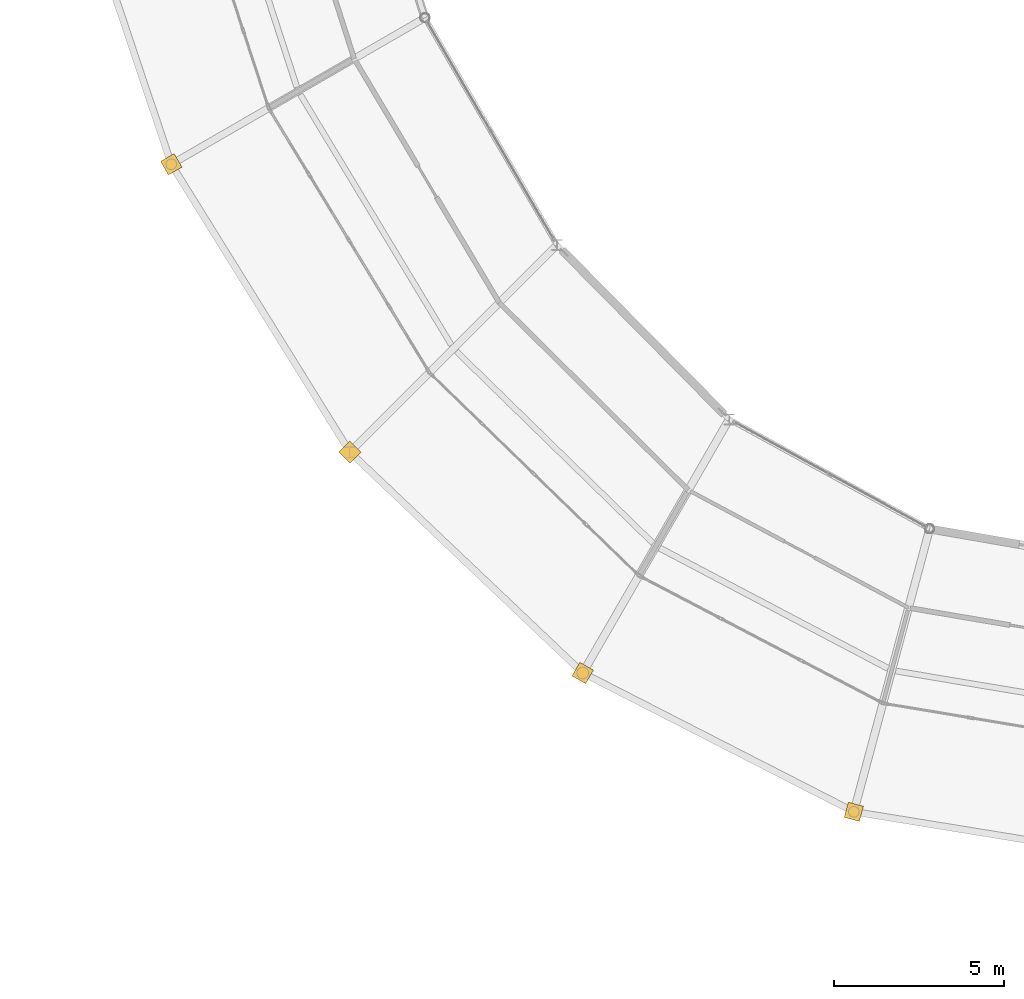
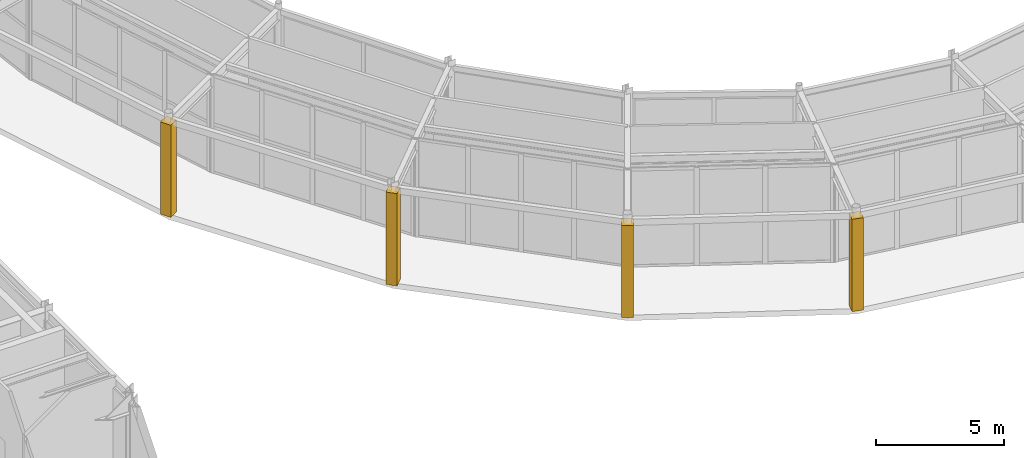
# One storey, part 134 of 144: 4 coverings.
"""IFC4 building model written with IfcOpenShell, lengths in metres."""

import ifcopenshell
import ifcopenshell.guid

model = None  # the IFC model being written
_history = None  # IfcOwnerHistory: only IFC2X3 demands one
_inside = {}  # id of a spatial element -> (the spatial element, [elements in it])
_under = {}  # id of a project, library or spatial element -> (it, [spatial elements below it])
_declared = {}  # id of a project -> (the project, [libraries it declares])
_typed = {}  # id of a type object -> (the type object, [elements of that type])
_made_of = {}  # id of a material, layer set ... -> (it, [elements and type objects made of it])


def new_model(schema):
    """Start an empty IFC model of exactly this schema.

    Asked for "IFC4X3", IfcOpenShell would pick the latest addendum, in which some entities
    have other attributes; the version numbers below select the first issue.
    IFC2X3 requires an IfcOwnerHistory on every rooted entity: one is made here for all.
    """
    global model, _history
    if schema == "IFC4X3":
        model = ifcopenshell.file(schema_version=(4, 3, 0, 0))
    else:
        model = ifcopenshell.file(schema=schema)
    _inside.clear()
    _under.clear()
    _declared.clear()
    _typed.clear()
    _made_of.clear()
    _history = None
    if model.schema == "IFC2X3":
        org = make("IfcOrganization", Name="unknown")
        user = make(
            "IfcPersonAndOrganization",
            ThePerson=make("IfcPerson", FamilyName="unknown"),
            TheOrganization=org,
        )
        app = make(
            "IfcApplication",
            ApplicationDeveloper=org,
            Version="unknown",
            ApplicationFullName="unknown",
            ApplicationIdentifier="unknown",
        )
        _history = make(
            "IfcOwnerHistory",
            OwningUser=user,
            OwningApplication=app,
            ChangeAction="ADDED",
            CreationDate=0,
        )
    return model


def make(cls, **values):
    """One entity of the class cls with the attributes given. An attribute that is None is left unset."""
    return model.create_entity(
        cls, **{name: value for name, value in values.items() if value is not None}
    )


def rooted(cls, **values):
    """An entity with a GlobalId (a new one), such as an element, a storey or a relation."""
    return make(cls, GlobalId=ifcopenshell.guid.new(), OwnerHistory=_history, **values)


def si_unit(unit_type, name, prefix=None):
    """IfcSIUnit, for example si_unit("LENGTHUNIT", "METRE", prefix="MILLI")."""
    return make("IfcSIUnit", UnitType=unit_type, Prefix=prefix, Name=name)


def assignment(units):
    """IfcUnitAssignment: the units of a project."""
    return None if units is None else make("IfcUnitAssignment", Units=units)


def point(xyz):
    """IfcCartesianPoint."""
    return None if xyz is None else make("IfcCartesianPoint", Coordinates=xyz)


def direction(xyz):
    """IfcDirection."""
    return None if xyz is None else make("IfcDirection", DirectionRatios=xyz)


def frame(location, z_axis=None, x_axis=None):
    """IfcAxis2Placement3D, a coordinate frame: its origin and axes. An axis left out is left unset."""
    return make(
        "IfcAxis2Placement3D",
        Location=point(location),
        Axis=direction(z_axis),
        RefDirection=direction(x_axis),
    )


def frame_2d(location, x_axis=None):
    """IfcAxis2Placement2D, a coordinate frame in the plane: its origin and x axis."""
    return make(
        "IfcAxis2Placement2D", Location=point(location), RefDirection=direction(x_axis)
    )


def origin():
    """The frame at (0, 0, 0) with its axes left unset."""
    return frame((0.0, 0.0, 0.0))


def origin_2d():
    """The frame at (0, 0) in the plane with its x axis left unset."""
    return frame_2d((0.0, 0.0))


def place(relative_to, where):
    """IfcLocalPlacement: puts the frame where relative to a parent placement (None: the world)."""
    return make(
        "IfcLocalPlacement", PlacementRelTo=relative_to, RelativePlacement=where
    )


def context(
    kind, dimensions, precision=None, world=None, true_north=None, identifier=None
):
    """IfcGeometricRepresentationContext, for example the 3D "Model" context."""
    return make(
        "IfcGeometricRepresentationContext",
        ContextIdentifier=identifier,
        ContextType=kind,
        CoordinateSpaceDimension=dimensions,
        Precision=precision,
        WorldCoordinateSystem=world,
        TrueNorth=true_north,
    )


def subcontext(parent, identifier, kind, view, scale=None):
    """IfcGeometricRepresentationSubContext, for example "Body" below "Model"."""
    return make(
        "IfcGeometricRepresentationSubContext",
        ContextIdentifier=identifier,
        ContextType=kind,
        ParentContext=parent,
        TargetScale=scale,
        TargetView=view,
    )


def project(units=None, contexts=None):
    """IfcProject with its units and contexts."""
    return rooted(
        "IfcProject",
        Name="project",
        RepresentationContexts=contexts,
        UnitsInContext=assignment(units),
    )


def spatial(cls, under=None, at=None, **own):
    """A site, building, storey or space (cls), placed at a placement, below another one or the project."""
    s = rooted(cls, ObjectPlacement=at, **own)
    if under is not None:
        _under.setdefault(under.id(), (under, []))[1].append(s)
    return s


def profile(cls, at=None, kind="AREA", **sizes):
    """A parametric profile (cls). Its sizes go by their IFC names, for example OverallWidth=200.0."""
    return make(cls, ProfileType=kind, Position=at, **sizes)


def rectangle(**sizes):
    """IfcRectangleProfileDef."""
    return profile("IfcRectangleProfileDef", **sizes)


def extrude(swept, where, along, depth):
    """IfcExtrudedAreaSolid: the profile swept, set in the frame where, extruded along a direction by depth."""
    return make(
        "IfcExtrudedAreaSolid",
        SweptArea=swept,
        Position=where,
        ExtrudedDirection=direction(along),
        Depth=depth,
    )


def shape(context_of_items, identifier, shape_type, items):
    """IfcShapeRepresentation: the items that make up one representation, for example the "Body"."""
    return make(
        "IfcShapeRepresentation",
        ContextOfItems=context_of_items,
        RepresentationIdentifier=identifier,
        RepresentationType=shape_type,
        Items=items,
    )


def material(Name=None, Category=None):
    """IfcMaterial."""
    return make("IfcMaterial", Name=Name, Category=Category)


def layer(
    of_material, thickness, ventilated=None, Name=None, Category=None, Priority=None
):
    """IfcMaterialLayer: one layer of a wall or slab, of a material (None: an air gap)."""
    return make(
        "IfcMaterialLayer",
        Material=of_material,
        LayerThickness=thickness,
        IsVentilated=ventilated,
        Name=Name,
        Category=Category,
        Priority=Priority,
    )


def layer_set(layers, Name=None):
    """IfcMaterialLayerSet."""
    return make("IfcMaterialLayerSet", MaterialLayers=layers, LayerSetName=Name)


def made_of(thing, what):
    """Note that an element or type object is made of a material, layer set ...; save() writes the relation."""
    if what is not None:
        _made_of.setdefault(what.id(), (what, []))[1].append(thing)
    return thing


def type_object(cls, material=None, **own):
    """A type object (cls), such as IfcWallType, which elements share."""
    return made_of(rooted(cls, **own), material)


def element(
    cls,
    number,
    at=None,
    inside=None,
    cuts=None,
    type_object=None,
    material=None,
    context=None,
    identifier="Body",
    shape_type=None,
    held_by="IfcProductDefinitionShape",
    body=None,
    shapes=None,
    **own,
):
    """One element of the class cls, such as IfcWall. Its Tag is "e" and its number.

    at: its placement. inside: the storey or other place that contains it. cuts: it is an
    opening in that element (IfcRelVoidsElement). A single representation is given by context,
    identifier, shape_type and body (its items); several are given by shapes. held_by: the class
    of the entity that holds the representations. save() writes the other relations.
    """
    e = rooted(cls, Tag="e%d" % number, ObjectPlacement=at, **own)
    if body is not None:
        shapes = [shape(context, identifier, shape_type, body)]
    if shapes is not None:
        e.Representation = make(held_by, Representations=shapes)
    if inside is not None:
        _inside.setdefault(inside.id(), (inside, []))[1].append(e)
    if cuts is not None:
        rooted(
            "IfcRelVoidsElement", RelatingBuildingElement=cuts, RelatedOpeningElement=e
        )
    if type_object is not None:
        _typed.setdefault(type_object.id(), (type_object, []))[1].append(e)
    return made_of(e, material)


def aggregate(whole, parts):
    """IfcRelAggregates: a whole, such as a stair, and the parts it consists of."""
    return rooted("IfcRelAggregates", RelatingObject=whole, RelatedObjects=parts)


def save(model, path):
    """Write the relations noted so far, then the file.

    IfcRelAggregates (storeys below a building ...), IfcRelContainedInSpatialStructure (elements
    in a storey), IfcRelDefinesByType, IfcRelAssociatesMaterial and IfcRelDeclares: one each for
    every whole, place, type object, material and project.
    """
    for whole, parts in _under.values():
        aggregate(whole, parts)
    for where, things in _inside.values():
        rooted(
            "IfcRelContainedInSpatialStructure",
            RelatedElements=things,
            RelatingStructure=where,
        )
    for kind, things in _typed.values():
        rooted("IfcRelDefinesByType", RelatedObjects=things, RelatingType=kind)
    for what, things in _made_of.values():
        rooted("IfcRelAssociatesMaterial", RelatedObjects=things, RelatingMaterial=what)
    for by, libraries in _declared.values():
        rooted("IfcRelDeclares", RelatingContext=by, RelatedDefinitions=libraries)
    model.write(path)


model = new_model("IFC4")

# Units and contexts
model_context = context("Model", 3, precision=1e-05, world=origin(), true_north=direction((0.0, 1.0)))
body_context = subcontext(model_context, "Body", "Model", "MODEL_VIEW")
ifc_project = project(units=[si_unit("LENGTHUNIT", "METRE"), si_unit("AREAUNIT", "SQUARE_METRE"), si_unit("VOLUMEUNIT", "CUBIC_METRE"), si_unit("PLANEANGLEUNIT", "RADIAN"), si_unit("MASSUNIT", "GRAM", prefix="KILO")], contexts=[model_context])

# Site, building, storey
site_placement = place(None, origin())
site = spatial("IfcSite", under=ifc_project, at=site_placement, CompositionType="ELEMENT")
building_placement = place(site_placement, origin())
building = spatial("IfcBuilding", under=site, at=building_placement, Name="Karori Crest Natural Sciences Institute", CompositionType="ELEMENT")
storey_placement = place(building_placement, origin())
storey = spatial("IfcBuildingStorey", under=building, at=storey_placement, Name="L00", CompositionType="ELEMENT", Elevation=0.0)

# Coverings
ifc_material = material(Name="Glulam GL10 architectural column casing", Category="wood")
ifc_layer = layer(ifc_material, 0.044921875, Name="Glulam GL10 architectural column casing")
ifc_layer_set = layer_set([ifc_layer], Name="Glulam GL10 architectural column casing")
covering_type = type_object("IfcCoveringType", Name="CVT-GL10", PredefinedType="CLADDING", material=ifc_layer_set)
for number, where, z_axis, x_axis, name in (
    (1, (37.8212890625, 29.5, 0.050048828125), (0.0, 0.0, 1.0), (-0.866025403784, -0.5, 0.0), "Glulam GL10 column casing CL-0015"),
    (2, (43.0654296875, 21.050048828125, 0.050048828125), (0.0, 0.0, 1.0), (-0.707106781187, -0.707106781187, 0.0), "Glulam GL10 column casing CL-0016"),
    (3, (49.89990234375, 14.566162109375, 0.050048828125), (0.0, 0.0, 1.0), (-0.5, -0.866025403784, 0.0), "Glulam GL10 column casing CL-0017"),
    (4, (57.85888671875, 10.490234375, 0.050048828125), (0.0, 0.0, 1.0), (-0.258819045103, -0.965925826289, 0.0), "Glulam GL10 column casing CL-0018"),
):
    element("IfcCovering", number, at=place(storey_placement, frame(where, z_axis=z_axis, x_axis=x_axis)), inside=storey, type_object=covering_type, Name=name, PredefinedType="CLADDING", context=body_context, shape_type="SweptSolid", body=[
        extrude(rectangle(XDim=0.4599609375, YDim=0.4599609375, at=origin_2d()), origin(), (0.0, 0.0, 1.0), 4.39990234375),
    ])

save(model, "model.ifc")
